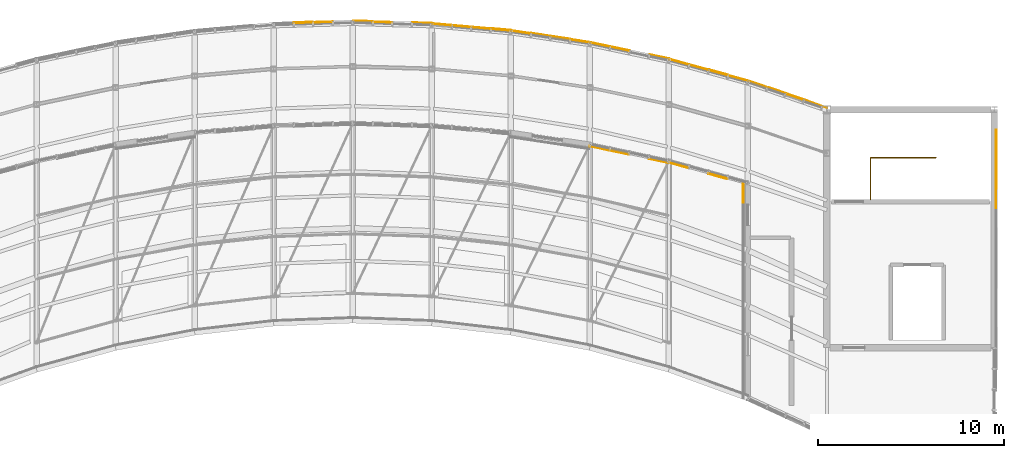
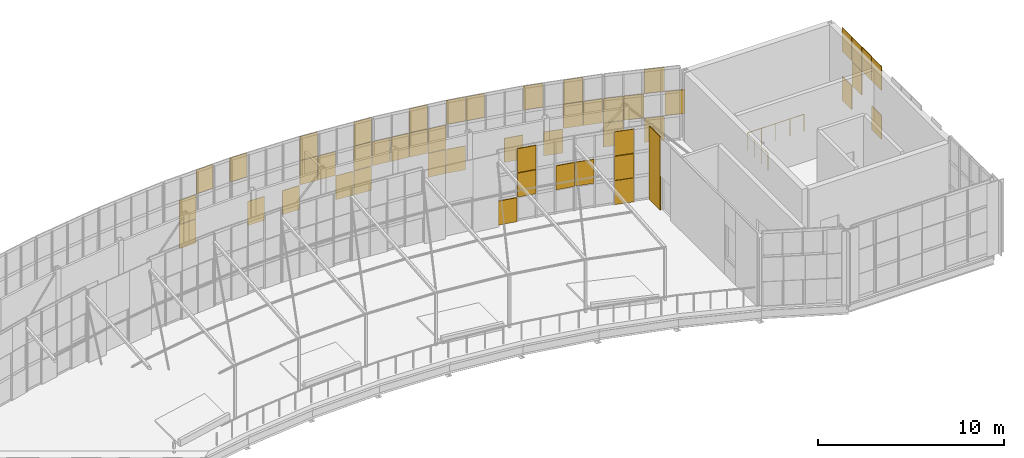
# One storey, part 35 of 35: 50 coverings, 1 railing.
"""IFC4 building model written with IfcOpenShell, lengths in metres."""

from ifc_helpers import new_model, si_unit, direction, frame, origin, origin_2d, place, context, subcontext, project, spatial, rectangle, circle, extrude, material, layer, layer_set, type_object, element, save


model = new_model("IFC4")

# Units and contexts
model_context = context("Model", 3, precision=1e-05, world=origin(), true_north=direction((0.0, 1.0)))
body_context = subcontext(model_context, "Body", "Model", "MODEL_VIEW")
ifc_project = project(units=[si_unit("LENGTHUNIT", "METRE"), si_unit("AREAUNIT", "SQUARE_METRE"), si_unit("VOLUMEUNIT", "CUBIC_METRE"), si_unit("PLANEANGLEUNIT", "RADIAN"), si_unit("MASSUNIT", "GRAM", prefix="KILO")], contexts=[model_context])

# Site, building, storey
site_placement = place(None, origin())
site = spatial("IfcSite", under=ifc_project, at=site_placement, CompositionType="ELEMENT")
building_placement = place(site_placement, origin())
building = spatial("IfcBuilding", under=site, at=building_placement, Name="Solvikara Media Centre", CompositionType="ELEMENT")
storey_placement = place(building_placement, frame((0.0, 0.0, 29.39990234375)))
storey = spatial("IfcBuildingStorey", under=building, at=storey_placement, Name="L06", CompositionType="ELEMENT", Elevation=29.39990234375)

# Coverings
ifc_material_1 = material(Name="GFRC white mineral architectural rainscreen panel")
ifc_layer_1 = layer(ifc_material_1, 0.050048828125)
ifc_layer_set_1 = layer_set([ifc_layer_1], Name="GFRC white mineral architectural rainscreen panel")
covering_type_1 = type_object("IfcCoveringType", Name="CV-04", PredefinedType="CLADDING", material=ifc_layer_set_1)
for number, where, z_axis, x_axis, name in (
    (1, (99.341064453125, 41.48291015625, 0.01513671875), (0.0, 0.0, 1.0), (0.999548919735, 0.030032599908, 0.0), "CW-L06-NARC-05-SF-10"),
    (2, (102.533935546875, 41.5458984375, 3.21484375), (0.0, 0.0, 1.0), (0.999548919735, -0.030032599908, 0.0), "CW-L06-NARC-06-SF-02"),
):
    element("IfcCovering", number, at=place(storey_placement, frame(where, z_axis=z_axis, x_axis=x_axis)), inside=storey, type_object=covering_type_1, Name=name, PredefinedType="CLADDING", context=body_context, shape_type="SweptSolid", body=[
        extrude(rectangle(XDim=1.031982421875, YDim=0.050048828125, at=origin_2d()), origin(), (0.0, 0.0, 1.0), 1.570068359375),
    ])
covering_1_placement = place(storey_placement, frame((105.720947265625, 41.450927734375, 0.01513671875), z_axis=(0.0, 0.0, 1.0), x_axis=(0.999549967461, -0.02999770905, 0.0)))
element("IfcCovering", 3, at=covering_1_placement, inside=storey, type_object=covering_type_1, Name="CW-L06-NARC-06-SF-30", PredefinedType="CLADDING", context=body_context, shape_type="SweptSolid", body=[
    extrude(rectangle(XDim=1.032958984375, YDim=0.050048828125, at=origin_2d()), origin(), (0.0, 0.0, 1.0), 1.570068359375),
])
covering_2_placement = place(storey_placement, frame((109.97705078125, 41.10498046875, 1.615234375), z_axis=(0.0, 0.0, 1.0), x_axis=(0.996050368938, -0.088789991203, 0.0)))
element("IfcCovering", 4, at=covering_2_placement, inside=storey, type_object=covering_type_1, Name="CW-L06-NARC-07-SF-31", PredefinedType="CLADDING", context=body_context, shape_type="SweptSolid", body=[
    extrude(rectangle(XDim=1.035888671875, YDim=0.050048828125, at=origin_2d()), origin(), (0.0, 0.0, 1.0), 1.570068359375),
])
for number, where, z_axis, x_axis, name in (
    (5, (112.10693359375, 40.819091796875, 1.615234375), (0.0, 0.0, 1.0), (0.989069971909, -0.147446907963, 0.0), "CW-L06-NARC-08-SF-11"),
    (6, (113.1708984375, 40.659912109375, 1.615234375), (0.0, 0.0, 1.0), (0.989069971909, -0.147446907963, 0.0), "CW-L06-NARC-08-SF-21"),
    (7, (113.1708984375, 40.659912109375, 3.21484375), (0.0, 0.0, 1.0), (0.989069971909, -0.147446907963, 0.0), "CW-L06-NARC-08-SF-22"),
):
    element("IfcCovering", number, at=place(storey_placement, frame(where, z_axis=z_axis, x_axis=x_axis)), inside=storey, type_object=covering_type_1, Name=name, PredefinedType="CLADDING", context=body_context, shape_type="SweptSolid", body=[
        extrude(rectangle(XDim=1.0439453125, YDim=0.050048828125, at=origin_2d()), origin(), (0.0, 0.0, 1.0), 1.570068359375),
    ])
covering_3_placement = place(storey_placement, frame((118.488037109375, 39.635009765625, 0.01513671875), z_axis=(0.0, 0.0, 1.0), x_axis=(0.978447760018, -0.206494505776, 0.0)))
element("IfcCovering", 8, at=covering_3_placement, inside=storey, type_object=covering_type_1, Name="CW-L06-NARC-09-SF-30", PredefinedType="CLADDING", context=body_context, shape_type="SweptSolid", body=[
    extrude(rectangle(XDim=1.055908203125, YDim=0.050048828125, at=origin_2d()), origin(), (0.0, 0.0, 1.0), 1.570068359375),
])
covering_4_placement = place(storey_placement, frame((121.680908203125, 38.7900390625, 1.615234375), z_axis=(0.0, 0.0, 1.0), x_axis=(0.964049041264, -0.265724379832, 0.0)))
element("IfcCovering", 9, at=covering_4_placement, inside=storey, type_object=covering_type_1, Name="CW-L06-NARC-10-SF-21", PredefinedType="CLADDING", context=body_context, shape_type="SweptSolid", body=[
    extrude(rectangle(XDim=1.072998046875, YDim=0.050048828125, at=origin_2d()), origin(), (0.0, 0.0, 1.0), 1.570068359375),
])
for number, where, z_axis, x_axis, name in (
    (10, (124.8740234375, 37.802001953125, 1.615234375), (0.0, 0.0, 1.0), (0.945807995037, -0.324726402566, 0.0), "CW-L06-NARC-11-SF-11"),
    (11, (125.93701171875, 37.43603515625, 3.21484375), (0.0, 0.0, 1.0), (0.945807995037, -0.324726402566, 0.0), "CW-L06-NARC-11-SF-22"),
):
    element("IfcCovering", number, at=place(storey_placement, frame(where, z_axis=z_axis, x_axis=x_axis)), inside=storey, type_object=covering_type_1, Name=name, PredefinedType="CLADDING", context=body_context, shape_type="SweptSolid", body=[
        extrude(rectangle(XDim=1.093017578125, YDim=0.050048828125, at=origin_2d()), origin(), (0.0, 0.0, 1.0), 1.570068359375),
    ])
for number, where, z_axis, x_axis, name in (
    (12, (115.261962890625, 34.72509765625, 0.01513671875), (0.0, 0.0, 1.0), (0.978447760018, -0.206494505776, 0.0), "CW-L06-GALS-09-SF-00"),
    (13, (116.324951171875, 34.5, 1.615234375), (0.0, 0.0, 1.0), (0.978447760018, -0.206494505776, 0.0), "CW-L06-GALS-09-SF-11"),
    (14, (116.324951171875, 34.5, 3.21484375), (0.0, 0.0, 1.0), (0.978447760018, -0.206494505776, 0.0), "CW-L06-GALS-09-SF-12"),
    (15, (118.449951171875, 34.051025390625, 1.615234375), (0.0, 0.0, 1.0), (0.978447760018, -0.206494505776, 0.0), "CW-L06-GALS-09-SF-31"),
):
    element("IfcCovering", number, at=place(storey_placement, frame(where, z_axis=z_axis, x_axis=x_axis)), inside=storey, type_object=covering_type_1, Name=name, PredefinedType="CLADDING", context=body_context, shape_type="SweptSolid", body=[
        extrude(rectangle(XDim=1.055908203125, YDim=0.050048828125, at=origin_2d()), origin(), (0.0, 0.0, 1.0), 1.570068359375),
    ])
covering_5_placement = place(storey_placement, frame((121.631103515625, 33.208984375, 1.615234375), z_axis=(0.0, 0.0, 1.0), x_axis=(0.964049041264, -0.265724379832, 0.0)))
element("IfcCovering", 16, at=covering_5_placement, inside=storey, type_object=covering_type_1, Name="CW-L06-GALS-10-SF-21", PredefinedType="CLADDING", context=body_context, shape_type="SweptSolid", body=[
    extrude(rectangle(XDim=1.072998046875, YDim=0.050048828125, at=origin_2d()), origin(), (0.0, 0.0, 1.0), 1.570068359375),
])
covering_6_placement = place(storey_placement, frame((123.0048828125, 32.27001953125, 0.0), z_axis=(0.0, 0.0, 1.0), x_axis=(0.0, 1.0, 0.0)))
element("IfcCovering", 17, at=covering_6_placement, inside=storey, type_object=covering_type_1, Name="L06-PAVEW-CV-F05", PredefinedType="CLADDING", context=body_context, shape_type="SweptSolid", body=[
    extrude(rectangle(XDim=1.180908203125, YDim=0.050048828125, at=origin_2d()), origin(), (0.0, 0.0, 1.0), 4.800048828125),
])
for number, where, z_axis, x_axis, name in (
    (18, (136.593994140625, 33.06689453125, 3.21484375), (0.0, 0.0, 1.0), (0.0, 1.0, 0.0), "SHM-L06-C4E-SF-82"),
    (19, (136.593994140625, 34.133056640625, 1.615234375), (0.0, 0.0, 1.0), (0.0, 1.0, 0.0), "SHM-L06-C4E-SF-91"),
):
    element("IfcCovering", number, at=place(storey_placement, frame(where, z_axis=z_axis, x_axis=x_axis)), inside=storey, type_object=covering_type_1, Name=name, PredefinedType="CLADDING", context=body_context, shape_type="SweptSolid", body=[
        extrude(rectangle(XDim=1.037109375, YDim=0.050048828125, at=origin_2d()), origin(), (0.0, 0.0, 1.0), 1.570068359375),
    ])
covering_7_placement = place(storey_placement, frame((136.593994140625, 35.199951171875, 0.01513671875), z_axis=(0.0, 0.0, 1.0), x_axis=(0.0, 1.0, 0.0)))
element("IfcCovering", 20, at=covering_7_placement, inside=storey, type_object=covering_type_1, Name="SHM-L06-C4E-SF-100", PredefinedType="CLADDING", context=body_context, shape_type="SweptSolid", body=[
    extrude(rectangle(XDim=1.035888671875, YDim=0.050048828125, at=origin_2d()), origin(), (0.0, 0.0, 1.0), 1.570068359375),
])
ifc_material_2 = material(Name="Insulated silver-pearl glass spandrel panel", Category="glass")
ifc_layer_2 = layer(ifc_material_2, 0.034912109375)
ifc_layer_set_2 = layer_set([ifc_layer_2], Name="Insulated silver-pearl glass spandrel panel")
covering_type_2 = type_object("IfcCoveringType", Name="CV-06", PredefinedType="CLADDING", material=ifc_layer_set_2)
covering_8_placement = place(storey_placement, frame((99.341064453125, 41.471923828125, 1.615234375), z_axis=(0.0, 0.0, 1.0), x_axis=(0.999549967461, 0.02999770905, 0.0)))
element("IfcCovering", 21, at=covering_8_placement, inside=storey, type_object=covering_type_2, Name="CW-L06-NARC-05-PX-11", PredefinedType="CLADDING", context=body_context, shape_type="SweptSolid", body=[
    extrude(rectangle(XDim=1.032958984375, YDim=0.034912109375, at=origin_2d()), origin(), (0.0, 0.0, 1.0), 1.570068359375),
])
for number, where, z_axis, x_axis, name in (
    (22, (100.404052734375, 41.50390625, 3.21484375), (0.0, 0.0, 1.0), (0.999548919735, 0.030032599908, 0.0), "CW-L06-NARC-05-PX-22"),
    (23, (103.595947265625, 41.50390625, 0.01513671875), (0.0, 0.0, 1.0), (0.999548919735, -0.030032599908, 0.0), "CW-L06-NARC-06-PX-10"),
):
    element("IfcCovering", number, at=place(storey_placement, frame(where, z_axis=z_axis, x_axis=x_axis)), inside=storey, type_object=covering_type_2, Name=name, PredefinedType="CLADDING", context=body_context, shape_type="SweptSolid", body=[
        extrude(rectangle(XDim=1.031982421875, YDim=0.034912109375, at=origin_2d()), origin(), (0.0, 0.0, 1.0), 1.570068359375),
    ])
for number, where, z_axis, x_axis, name in (
    (24, (106.7880859375, 41.376953125, 1.615234375), (0.0, 0.0, 1.0), (0.996142803437, -0.087746881202, 0.0), "CW-L06-NARC-07-PX-01"),
    (25, (106.7880859375, 41.376953125, 3.21484375), (0.0, 0.0, 1.0), (0.996142803437, -0.087746881202, 0.0), "CW-L06-NARC-07-PX-02"),
):
    element("IfcCovering", number, at=place(storey_placement, frame(where, z_axis=z_axis, x_axis=x_axis)), inside=storey, type_object=covering_type_2, Name=name, PredefinedType="CLADDING", context=body_context, shape_type="SweptSolid", body=[
        extrude(rectangle(XDim=1.037109375, YDim=0.034912109375, at=origin_2d()), origin(), (0.0, 0.0, 1.0), 1.570068359375),
    ])
covering_9_placement = place(storey_placement, frame((107.85107421875, 41.282958984375, 1.615234375), z_axis=(0.0, 0.0, 1.0), x_axis=(0.996050368938, -0.088789991203, 0.0)))
element("IfcCovering", 26, at=covering_9_placement, inside=storey, type_object=covering_type_2, Name="CW-L06-NARC-07-PX-11", PredefinedType="CLADDING", context=body_context, shape_type="SweptSolid", body=[
    extrude(rectangle(XDim=1.035888671875, YDim=0.034912109375, at=origin_2d()), origin(), (0.0, 0.0, 1.0), 1.570068359375),
])
covering_10_placement = place(storey_placement, frame((108.9130859375, 41.18896484375, 0.01513671875), z_axis=(0.0, 0.0, 1.0), x_axis=(0.996058113534, -0.088703069073, 0.0)))
element("IfcCovering", 27, at=covering_10_placement, inside=storey, type_object=covering_type_2, Name="CW-L06-NARC-07-PX-20", PredefinedType="CLADDING", context=body_context, shape_type="SweptSolid", body=[
    extrude(rectangle(XDim=1.037109375, YDim=0.034912109375, at=origin_2d()), origin(), (0.0, 0.0, 1.0), 1.570068359375),
])
for number, where, z_axis, x_axis, name in (
    (28, (109.97607421875, 41.094970703125, 0.01513671875), (0.0, 0.0, 1.0), (0.996050368938, -0.088789991203, 0.0), "CW-L06-NARC-07-PX-30"),
    (29, (109.97607421875, 41.094970703125, 3.21484375), (0.0, 0.0, 1.0), (0.996050368938, -0.088789991203, 0.0), "CW-L06-NARC-07-PX-32"),
):
    element("IfcCovering", number, at=place(storey_placement, frame(where, z_axis=z_axis, x_axis=x_axis)), inside=storey, type_object=covering_type_2, Name=name, PredefinedType="CLADDING", context=body_context, shape_type="SweptSolid", body=[
        extrude(rectangle(XDim=1.035888671875, YDim=0.034912109375, at=origin_2d()), origin(), (0.0, 0.0, 1.0), 1.570068359375),
    ])
covering_11_placement = place(storey_placement, frame((111.04296875, 40.968017578125, 1.615234375), z_axis=(0.0, 0.0, 1.0), x_axis=(0.989069971909, -0.147446907963, 0.0)))
element("IfcCovering", 30, at=covering_11_placement, inside=storey, type_object=covering_type_2, Name="CW-L06-NARC-08-PX-01", PredefinedType="CLADDING", context=body_context, shape_type="SweptSolid", body=[
    extrude(rectangle(XDim=1.0439453125, YDim=0.034912109375, at=origin_2d()), origin(), (0.0, 0.0, 1.0), 1.570068359375),
])
for number, where, z_axis, x_axis, name in (
    (31, (114.23193359375, 40.491943359375, 0.01513671875), (0.0, 0.0, 1.0), (0.988930567215, -0.148379018826, 0.0), "CW-L06-NARC-08-PX-30"),
    (32, (114.23193359375, 40.491943359375, 1.615234375), (0.0, 0.0, 1.0), (0.988930567215, -0.148379018826, 0.0), "CW-L06-NARC-08-PX-31"),
):
    element("IfcCovering", number, at=place(storey_placement, frame(where, z_axis=z_axis, x_axis=x_axis)), inside=storey, type_object=covering_type_2, Name=name, PredefinedType="CLADDING", context=body_context, shape_type="SweptSolid", body=[
        extrude(rectangle(XDim=1.044921875, YDim=0.034912109375, at=origin_2d()), origin(), (0.0, 0.0, 1.0), 1.570068359375),
    ])
for number, where, z_axis, x_axis, name in (
    (33, (115.298095703125, 40.299072265625, 0.01513671875), (0.0, 0.0, 1.0), (0.978447760018, -0.206494505776, 0.0), "CW-L06-NARC-09-PX-00"),
    (34, (115.298095703125, 40.299072265625, 3.21484375), (0.0, 0.0, 1.0), (0.978447760018, -0.206494505776, 0.0), "CW-L06-NARC-09-PX-02"),
    (35, (116.362060546875, 40.074951171875, 3.21484375), (0.0, 0.0, 1.0), (0.978256328953, -0.207399505455, 0.0), "CW-L06-NARC-09-PX-12"),
):
    element("IfcCovering", number, at=place(storey_placement, frame(where, z_axis=z_axis, x_axis=x_axis)), inside=storey, type_object=covering_type_2, Name=name, PredefinedType="CLADDING", context=body_context, shape_type="SweptSolid", body=[
        extrude(rectangle(XDim=1.055908203125, YDim=0.034912109375, at=origin_2d()), origin(), (0.0, 0.0, 1.0), 1.570068359375),
    ])
covering_12_placement = place(storey_placement, frame((119.552978515625, 39.364990234375, 3.21484375), z_axis=(0.0, 0.0, 1.0), x_axis=(0.963984083771, -0.265959933516, 0.0)))
element("IfcCovering", 36, at=covering_12_placement, inside=storey, type_object=covering_type_2, Name="CW-L06-NARC-10-PX-02", PredefinedType="CLADDING", context=body_context, shape_type="SweptSolid", body=[
    extrude(rectangle(XDim=1.072021484375, YDim=0.034912109375, at=origin_2d()), origin(), (0.0, 0.0, 1.0), 1.570068359375),
])
covering_13_placement = place(storey_placement, frame((120.615966796875, 39.072998046875, 0.01513671875), z_axis=(0.0, 0.0, 1.0), x_axis=(0.964049041264, -0.265724379832, 0.0)))
element("IfcCovering", 37, at=covering_13_placement, inside=storey, type_object=covering_type_2, Name="CW-L06-NARC-10-PX-10", PredefinedType="CLADDING", context=body_context, shape_type="SweptSolid", body=[
    extrude(rectangle(XDim=1.072998046875, YDim=0.034912109375, at=origin_2d()), origin(), (0.0, 0.0, 1.0), 1.570068359375),
])
covering_14_placement = place(storey_placement, frame((121.677978515625, 38.780029296875, 3.21484375), z_axis=(0.0, 0.0, 1.0), x_axis=(0.964225064307, -0.2650849399, 0.0)))
element("IfcCovering", 38, at=covering_14_placement, inside=storey, type_object=covering_type_2, Name="CW-L06-NARC-10-PX-22", PredefinedType="CLADDING", context=body_context, shape_type="SweptSolid", body=[
    extrude(rectangle(XDim=1.071044921875, YDim=0.034912109375, at=origin_2d()), origin(), (0.0, 0.0, 1.0), 1.570068359375),
])
covering_15_placement = place(storey_placement, frame((122.740966796875, 38.487060546875, 1.615234375), z_axis=(0.0, 0.0, 1.0), x_axis=(0.964049041264, -0.265724379832, 0.0)))
element("IfcCovering", 39, at=covering_15_placement, inside=storey, type_object=covering_type_2, Name="CW-L06-NARC-10-PX-31", PredefinedType="CLADDING", context=body_context, shape_type="SweptSolid", body=[
    extrude(rectangle(XDim=1.072998046875, YDim=0.034912109375, at=origin_2d()), origin(), (0.0, 0.0, 1.0), 1.570068359375),
])
for number, where, z_axis, x_axis, name in (
    (40, (123.80810546875, 38.156982421875, 0.01513671875), (0.0, 0.0, 1.0), (0.945626486098, -0.325254590729, 0.0), "CW-L06-NARC-11-PX-00"),
    (41, (123.80810546875, 38.156982421875, 1.615234375), (0.0, 0.0, 1.0), (0.945626486098, -0.325254590729, 0.0), "CW-L06-NARC-11-PX-01"),
    (42, (125.93310546875, 37.427001953125, 0.01513671875), (0.0, 0.0, 1.0), (0.945626486098, -0.325254590729, 0.0), "CW-L06-NARC-11-PX-20"),
):
    element("IfcCovering", number, at=place(storey_placement, frame(where, z_axis=z_axis, x_axis=x_axis)), inside=storey, type_object=covering_type_2, Name=name, PredefinedType="CLADDING", context=body_context, shape_type="SweptSolid", body=[
        extrude(rectangle(XDim=1.094970703125, YDim=0.034912109375, at=origin_2d()), origin(), (0.0, 0.0, 1.0), 1.570068359375),
    ])
covering_16_placement = place(storey_placement, frame((126.99609375, 37.06201171875, 1.615234375), z_axis=(0.0, 0.0, 1.0), x_axis=(0.945529939496, -0.325535149434, 0.0)))
element("IfcCovering", 43, at=covering_16_placement, inside=storey, type_object=covering_type_2, Name="CW-L06-NARC-11-PX-31", PredefinedType="CLADDING", context=body_context, shape_type="SweptSolid", body=[
    extrude(rectangle(XDim=1.093994140625, YDim=0.034912109375, at=origin_2d()), origin(), (0.0, 0.0, 1.0), 1.570068359375),
])
for number, where, z_axis, x_axis, name in (
    (44, (119.509033203125, 33.802978515625, 1.615234375), (0.0, 0.0, 1.0), (0.964049041264, -0.265724379832, 0.0), "CW-L06-GALS-10-PX-01"),
    (45, (121.634033203125, 33.218017578125, 0.01513671875), (0.0, 0.0, 1.0), (0.964049041264, -0.265724379832, 0.0), "CW-L06-GALS-10-PX-20"),
    (46, (121.634033203125, 33.218017578125, 3.21484375), (0.0, 0.0, 1.0), (0.964049041264, -0.265724379832, 0.0), "CW-L06-GALS-10-PX-22"),
):
    element("IfcCovering", number, at=place(storey_placement, frame(where, z_axis=z_axis, x_axis=x_axis)), inside=storey, type_object=covering_type_2, Name=name, PredefinedType="CLADDING", context=body_context, shape_type="SweptSolid", body=[
        extrude(rectangle(XDim=1.072998046875, YDim=0.034912109375, at=origin_2d()), origin(), (0.0, 0.0, 1.0), 1.570068359375),
    ])
for number, where, z_axis, x_axis, name in (
    (47, (136.583984375, 32.0, 0.01513671875), (0.0, 0.0, 1.0), (0.0, 1.0, 0.0), "SHM-L06-C4E-PX-70"),
    (48, (136.583984375, 32.0, 3.21484375), (0.0, 0.0, 1.0), (0.0, 1.0, 0.0), "SHM-L06-C4E-PX-72"),
):
    element("IfcCovering", number, at=place(storey_placement, frame(where, z_axis=z_axis, x_axis=x_axis)), inside=storey, type_object=covering_type_2, Name=name, PredefinedType="CLADDING", context=body_context, shape_type="SweptSolid", body=[
        extrude(rectangle(XDim=1.035888671875, YDim=0.034912109375, at=origin_2d()), origin(), (0.0, 0.0, 1.0), 1.570068359375),
    ])
covering_17_placement = place(storey_placement, frame((136.583984375, 34.133056640625, 3.21484375), z_axis=(0.0, 0.0, 1.0), x_axis=(0.0, 1.0, 0.0)))
element("IfcCovering", 49, at=covering_17_placement, inside=storey, type_object=covering_type_2, Name="SHM-L06-C4E-PX-92", PredefinedType="CLADDING", context=body_context, shape_type="SweptSolid", body=[
    extrude(rectangle(XDim=1.037109375, YDim=0.034912109375, at=origin_2d()), origin(), (0.0, 0.0, 1.0), 1.570068359375),
])
covering_18_placement = place(storey_placement, frame((136.583984375, 35.199951171875, 3.21484375), z_axis=(0.0, 0.0, 1.0), x_axis=(0.0, 1.0, 0.0)))
element("IfcCovering", 50, at=covering_18_placement, inside=storey, type_object=covering_type_2, Name="SHM-L06-C4E-PX-102", PredefinedType="CLADDING", context=body_context, shape_type="SweptSolid", body=[
    extrude(rectangle(XDim=1.035888671875, YDim=0.034912109375, at=origin_2d()), origin(), (0.0, 0.0, 1.0), 1.570068359375),
])

# Railing
ifc_material_3 = material(Name="Steel S355JR", Category="steel")
railing_type = type_object("IfcRailingType", Name="GR-01", PredefinedType="GUARDRAIL", material=ifc_material_3)
railing_placement = place(storey_placement, frame((129.840087890625, 31.97998046875, 0.0)))
element("IfcRailing", 51, at=railing_placement, inside=storey, type_object=railing_type, Name="GR-C4-L05-W", PredefinedType="GUARDRAIL", context=body_context, shape_type="SweptSolid", body=[
    extrude(circle(Radius=0.02392578125, at=origin_2d()), frame((0.0, 0.0, 1.1259765625), z_axis=(0.0, 1.0, 0.0), x_axis=(-1.0, 0.0, 0.0)), (0.0, 0.0, 1.0), 2.239990234375),
    extrude(circle(Radius=0.02392578125, at=origin_2d()), frame((0.0, 2.239990234375, 1.1259765625), z_axis=(1.0, 0.0, 0.0), x_axis=(0.0, 1.0, 0.0)), (0.0, 0.0, 1.0), 3.52001953125),
    extrude(circle(Radius=0.02099609375, at=origin_2d()), origin(), (0.0, 0.0, 1.0), 1.101806640625),
    extrude(circle(Radius=0.02099609375, at=origin_2d()), frame((0.0, 0.74658203125, 0.0)), (0.0, 0.0, 1.0), 1.101806640625),
    extrude(circle(Radius=0.02099609375, at=origin_2d()), frame((0.0, 1.493408203125, 0.0)), (0.0, 0.0, 1.0), 1.101806640625),
    extrude(circle(Radius=0.02099609375, at=origin_2d()), frame((0.0, 2.239990234375, 0.0)), (0.0, 0.0, 1.0), 1.101806640625),
    extrude(circle(Radius=0.02099609375, at=origin_2d()), frame((0.8798828125, 2.239990234375, 0.0)), (0.0, 0.0, 1.0), 1.101806640625),
    extrude(circle(Radius=0.02099609375, at=origin_2d()), frame((1.760009765625, 2.239990234375, 0.0)), (0.0, 0.0, 1.0), 1.101806640625),
    extrude(circle(Radius=0.02099609375, at=origin_2d()), frame((2.64013671875, 2.239990234375, 0.0)), (0.0, 0.0, 1.0), 1.101806640625),
    extrude(circle(Radius=0.02099609375, at=origin_2d()), frame((3.52001953125, 2.239990234375, 0.0)), (0.0, 0.0, 1.0), 1.101806640625),
])

save(model, "model.ifc")
